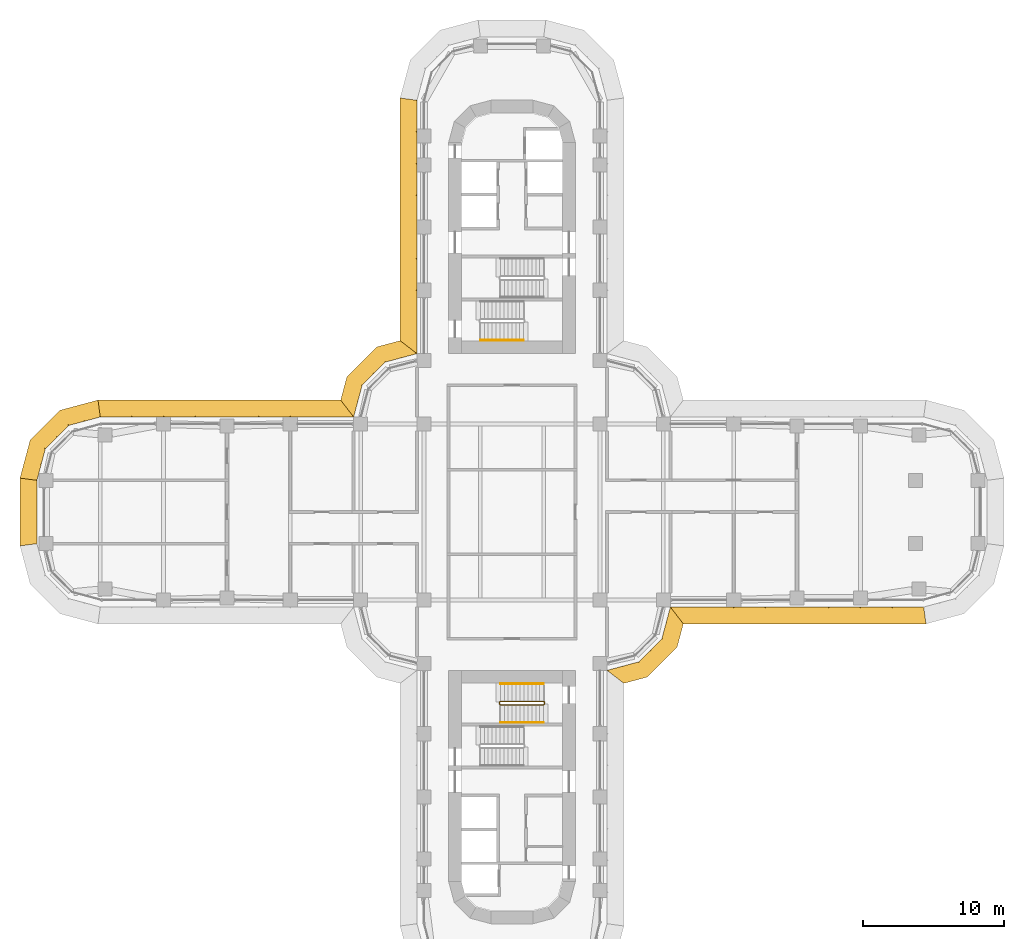
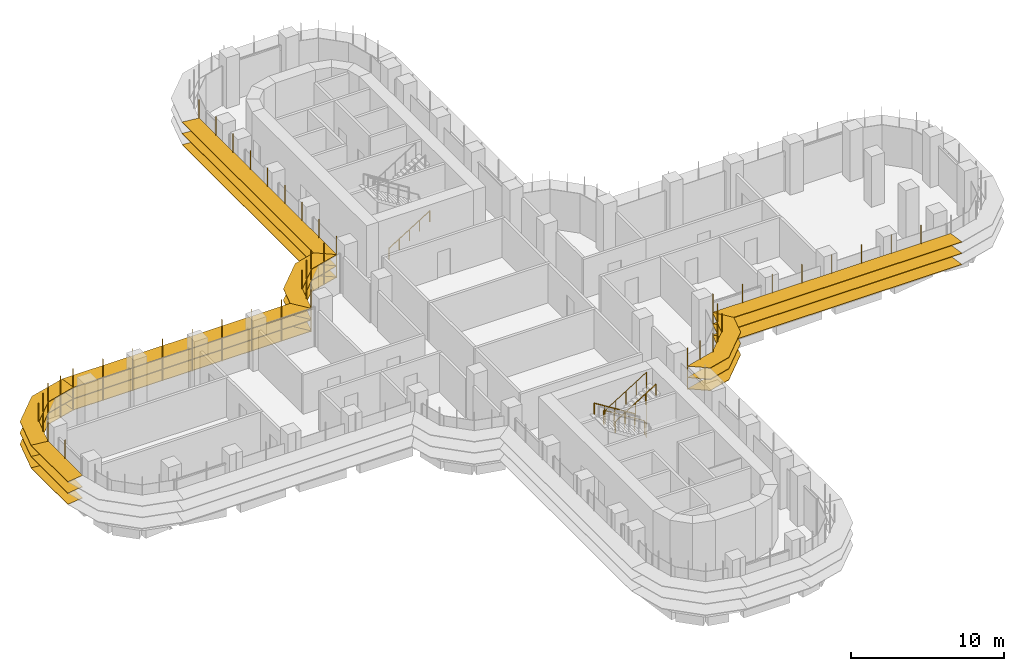
# One storey, part 21 of 23: 7 shading devices, 4 railings.
"""IFC4 building model written with IfcOpenShell, lengths in metres."""

import ifcopenshell
import ifcopenshell.guid

model = None  # the IFC model being written
_history = None  # IfcOwnerHistory: only IFC2X3 demands one
_inside = {}  # id of a spatial element -> (the spatial element, [elements in it])
_under = {}  # id of a project, library or spatial element -> (it, [spatial elements below it])
_declared = {}  # id of a project -> (the project, [libraries it declares])
_typed = {}  # id of a type object -> (the type object, [elements of that type])
_made_of = {}  # id of a material, layer set ... -> (it, [elements and type objects made of it])


def new_model(schema):
    """Start an empty IFC model of exactly this schema.

    Asked for "IFC4X3", IfcOpenShell would pick the latest addendum, in which some entities
    have other attributes; the version numbers below select the first issue.
    IFC2X3 requires an IfcOwnerHistory on every rooted entity: one is made here for all.
    """
    global model, _history
    if schema == "IFC4X3":
        model = ifcopenshell.file(schema_version=(4, 3, 0, 0))
    else:
        model = ifcopenshell.file(schema=schema)
    _inside.clear()
    _under.clear()
    _declared.clear()
    _typed.clear()
    _made_of.clear()
    _history = None
    if model.schema == "IFC2X3":
        org = make("IfcOrganization", Name="unknown")
        user = make(
            "IfcPersonAndOrganization",
            ThePerson=make("IfcPerson", FamilyName="unknown"),
            TheOrganization=org,
        )
        app = make(
            "IfcApplication",
            ApplicationDeveloper=org,
            Version="unknown",
            ApplicationFullName="unknown",
            ApplicationIdentifier="unknown",
        )
        _history = make(
            "IfcOwnerHistory",
            OwningUser=user,
            OwningApplication=app,
            ChangeAction="ADDED",
            CreationDate=0,
        )
    return model


def make(cls, **values):
    """One entity of the class cls with the attributes given. An attribute that is None is left unset."""
    return model.create_entity(
        cls, **{name: value for name, value in values.items() if value is not None}
    )


def rooted(cls, **values):
    """An entity with a GlobalId (a new one), such as an element, a storey or a relation."""
    return make(cls, GlobalId=ifcopenshell.guid.new(), OwnerHistory=_history, **values)


def si_unit(unit_type, name, prefix=None):
    """IfcSIUnit, for example si_unit("LENGTHUNIT", "METRE", prefix="MILLI")."""
    return make("IfcSIUnit", UnitType=unit_type, Prefix=prefix, Name=name)


def assignment(units):
    """IfcUnitAssignment: the units of a project."""
    return None if units is None else make("IfcUnitAssignment", Units=units)


def point(xyz):
    """IfcCartesianPoint."""
    return None if xyz is None else make("IfcCartesianPoint", Coordinates=xyz)


def direction(xyz):
    """IfcDirection."""
    return None if xyz is None else make("IfcDirection", DirectionRatios=xyz)


def frame(location, z_axis=None, x_axis=None):
    """IfcAxis2Placement3D, a coordinate frame: its origin and axes. An axis left out is left unset."""
    return make(
        "IfcAxis2Placement3D",
        Location=point(location),
        Axis=direction(z_axis),
        RefDirection=direction(x_axis),
    )


def frame_2d(location, x_axis=None):
    """IfcAxis2Placement2D, a coordinate frame in the plane: its origin and x axis."""
    return make(
        "IfcAxis2Placement2D", Location=point(location), RefDirection=direction(x_axis)
    )


def origin():
    """The frame at (0, 0, 0) with its axes left unset."""
    return frame((0.0, 0.0, 0.0))


def origin_2d():
    """The frame at (0, 0) in the plane with its x axis left unset."""
    return frame_2d((0.0, 0.0))


def place(relative_to, where):
    """IfcLocalPlacement: puts the frame where relative to a parent placement (None: the world)."""
    return make(
        "IfcLocalPlacement", PlacementRelTo=relative_to, RelativePlacement=where
    )


def context(
    kind, dimensions, precision=None, world=None, true_north=None, identifier=None
):
    """IfcGeometricRepresentationContext, for example the 3D "Model" context."""
    return make(
        "IfcGeometricRepresentationContext",
        ContextIdentifier=identifier,
        ContextType=kind,
        CoordinateSpaceDimension=dimensions,
        Precision=precision,
        WorldCoordinateSystem=world,
        TrueNorth=true_north,
    )


def subcontext(parent, identifier, kind, view, scale=None):
    """IfcGeometricRepresentationSubContext, for example "Body" below "Model"."""
    return make(
        "IfcGeometricRepresentationSubContext",
        ContextIdentifier=identifier,
        ContextType=kind,
        ParentContext=parent,
        TargetScale=scale,
        TargetView=view,
    )


def project(units=None, contexts=None):
    """IfcProject with its units and contexts."""
    return rooted(
        "IfcProject",
        Name="project",
        RepresentationContexts=contexts,
        UnitsInContext=assignment(units),
    )


def spatial(cls, under=None, at=None, **own):
    """A site, building, storey or space (cls), placed at a placement, below another one or the project."""
    s = rooted(cls, ObjectPlacement=at, **own)
    if under is not None:
        _under.setdefault(under.id(), (under, []))[1].append(s)
    return s


def polyline(points):
    """IfcPolyline through the points."""
    return make("IfcPolyline", Points=[point(p) for p in points])


def profile(cls, at=None, kind="AREA", **sizes):
    """A parametric profile (cls). Its sizes go by their IFC names, for example OverallWidth=200.0."""
    return make(cls, ProfileType=kind, Position=at, **sizes)


def circle(**sizes):
    """IfcCircleProfileDef."""
    return profile("IfcCircleProfileDef", **sizes)


def outline(outer, holes=None, kind="AREA"):
    """IfcArbitraryClosedProfileDef: a profile drawn as a closed curve; with holes, ...WithVoids."""
    if holes is None:
        return make("IfcArbitraryClosedProfileDef", ProfileType=kind, OuterCurve=outer)
    return make(
        "IfcArbitraryProfileDefWithVoids",
        ProfileType=kind,
        OuterCurve=outer,
        InnerCurves=holes,
    )


def extrude(swept, where, along, depth):
    """IfcExtrudedAreaSolid: the profile swept, set in the frame where, extruded along a direction by depth."""
    return make(
        "IfcExtrudedAreaSolid",
        SweptArea=swept,
        Position=where,
        ExtrudedDirection=direction(along),
        Depth=depth,
    )


def faces_of(points, faces, orient=None, outer=None):
    """IfcFace entities. A face is a list of loops; a loop is a list of indices into points, from 0.

    orient and outer hold one flag for each loop. By default every Orientation is true, the
    first loop of a face is its IfcFaceOuterBound and the others are IfcFaceBound.
    """
    made = []
    for i, loops in enumerate(faces):
        bounds = []
        for j, loop in enumerate(loops):
            is_outer = j == 0 if outer is None else outer[i][j]
            bounds.append(
                make(
                    "IfcFaceOuterBound" if is_outer else "IfcFaceBound",
                    Bound=make("IfcPolyLoop", Polygon=[points[k] for k in loop]),
                    Orientation=True if orient is None else orient[i][j],
                )
            )
        made.append(make("IfcFace", Bounds=bounds))
    return made


def faceted_brep(points, faces, orient=None, outer=None, voids=None):
    """IfcFacetedBrep: a solid bounded by flat faces; with voids (closed shells), ...WithVoids."""
    shared = [point(p) for p in points]
    hull = make("IfcClosedShell", CfsFaces=faces_of(shared, faces, orient, outer))
    if voids is None:
        return make("IfcFacetedBrep", Outer=hull)
    return make(
        "IfcFacetedBrepWithVoids",
        Outer=hull,
        Voids=[
            make(cls, CfsFaces=faces_of(shared, fs, o, b)) for cls, fs, o, b in voids
        ],
    )


def shape(context_of_items, identifier, shape_type, items):
    """IfcShapeRepresentation: the items that make up one representation, for example the "Body"."""
    return make(
        "IfcShapeRepresentation",
        ContextOfItems=context_of_items,
        RepresentationIdentifier=identifier,
        RepresentationType=shape_type,
        Items=items,
    )


def source(mapping_origin, context_of_items, identifier, shape_type, items):
    """IfcRepresentationMap: a shape defined once, which mapped items show again and again."""
    return make(
        "IfcRepresentationMap",
        MappingOrigin=mapping_origin,
        MappedRepresentation=shape(context_of_items, identifier, shape_type, items),
    )


def transform(
    local_origin,
    x_axis=None,
    y_axis=None,
    z_axis=None,
    scale=None,
    scale2=None,
    scale3=None,
    uniform=True,
):
    """IfcCartesianTransformationOperator3D, or its non-uniform kind. x_axis, y_axis, z_axis: its Axis1, 2, 3."""
    if uniform:
        return make(
            "IfcCartesianTransformationOperator3D",
            Axis1=direction(x_axis),
            Axis2=direction(y_axis),
            LocalOrigin=point(local_origin),
            Scale=scale,
            Axis3=direction(z_axis),
        )
    return make(
        "IfcCartesianTransformationOperator3DnonUniform",
        Axis1=direction(x_axis),
        Axis2=direction(y_axis),
        LocalOrigin=point(local_origin),
        Scale=scale,
        Axis3=direction(z_axis),
        Scale2=scale2,
        Scale3=scale3,
    )


def mapped(mapping_source, mapping_target):
    """IfcMappedItem: shows the shape of a source again, moved by a transform."""
    return make(
        "IfcMappedItem", MappingSource=mapping_source, MappingTarget=mapping_target
    )


def material(Name=None, Category=None):
    """IfcMaterial."""
    return make("IfcMaterial", Name=Name, Category=Category)


def made_of(thing, what):
    """Note that an element or type object is made of a material, layer set ...; save() writes the relation."""
    if what is not None:
        _made_of.setdefault(what.id(), (what, []))[1].append(thing)
    return thing


def type_object(cls, material=None, **own):
    """A type object (cls), such as IfcWallType, which elements share."""
    return made_of(rooted(cls, **own), material)


def element(
    cls,
    number,
    at=None,
    inside=None,
    cuts=None,
    type_object=None,
    material=None,
    context=None,
    identifier="Body",
    shape_type=None,
    held_by="IfcProductDefinitionShape",
    body=None,
    shapes=None,
    **own,
):
    """One element of the class cls, such as IfcWall. Its Tag is "e" and its number.

    at: its placement. inside: the storey or other place that contains it. cuts: it is an
    opening in that element (IfcRelVoidsElement). A single representation is given by context,
    identifier, shape_type and body (its items); several are given by shapes. held_by: the class
    of the entity that holds the representations. save() writes the other relations.
    """
    e = rooted(cls, Tag="e%d" % number, ObjectPlacement=at, **own)
    if body is not None:
        shapes = [shape(context, identifier, shape_type, body)]
    if shapes is not None:
        e.Representation = make(held_by, Representations=shapes)
    if inside is not None:
        _inside.setdefault(inside.id(), (inside, []))[1].append(e)
    if cuts is not None:
        rooted(
            "IfcRelVoidsElement", RelatingBuildingElement=cuts, RelatedOpeningElement=e
        )
    if type_object is not None:
        _typed.setdefault(type_object.id(), (type_object, []))[1].append(e)
    return made_of(e, material)


def aggregate(whole, parts):
    """IfcRelAggregates: a whole, such as a stair, and the parts it consists of."""
    return rooted("IfcRelAggregates", RelatingObject=whole, RelatedObjects=parts)


def save(model, path):
    """Write the relations noted so far, then the file.

    IfcRelAggregates (storeys below a building ...), IfcRelContainedInSpatialStructure (elements
    in a storey), IfcRelDefinesByType, IfcRelAssociatesMaterial and IfcRelDeclares: one each for
    every whole, place, type object, material and project.
    """
    for whole, parts in _under.values():
        aggregate(whole, parts)
    for where, things in _inside.values():
        rooted(
            "IfcRelContainedInSpatialStructure",
            RelatedElements=things,
            RelatingStructure=where,
        )
    for kind, things in _typed.values():
        rooted("IfcRelDefinesByType", RelatedObjects=things, RelatingType=kind)
    for what, things in _made_of.values():
        rooted("IfcRelAssociatesMaterial", RelatedObjects=things, RelatingMaterial=what)
    for by, libraries in _declared.values():
        rooted("IfcRelDeclares", RelatingContext=by, RelatedDefinitions=libraries)
    model.write(path)


model = new_model("IFC4")

# Units and contexts
model_context = context("Model", 3, precision=1e-05, world=origin(), true_north=direction((0.0, 1.0)))
body_context = subcontext(model_context, "Body", "Model", "MODEL_VIEW")
ifc_project = project(units=[si_unit("LENGTHUNIT", "METRE"), si_unit("AREAUNIT", "SQUARE_METRE"), si_unit("VOLUMEUNIT", "CUBIC_METRE"), si_unit("PLANEANGLEUNIT", "RADIAN"), si_unit("MASSUNIT", "GRAM", prefix="KILO")], contexts=[model_context])

# Site, building, storey
site_placement = place(None, origin())
site = spatial("IfcSite", under=ifc_project, at=site_placement, CompositionType="ELEMENT")
building_placement = place(site_placement, origin())
building = spatial("IfcBuilding", under=site, at=building_placement, Name="Zarbagh Exchange Tower", CompositionType="ELEMENT")
storey_placement = place(building_placement, frame((0.0, 0.0, 31.199951171875)))
storey = spatial("IfcBuildingStorey", under=building, at=storey_placement, Name="L06", CompositionType="ELEMENT", Elevation=31.199951171875)

# Railings
ifc_material_1 = material(Name="Stainless steel", Category="steel")
railing_type_1 = type_object("IfcRailingType", Name="Stair guard 1100 mm", PredefinedType="GUARDRAIL", material=ifc_material_1)
railing_1_placement = place(storey_placement, frame((-0.8798828125, -13.5, 2.10009765625)))
element("IfcRailing", 1, at=railing_1_placement, inside=storey, type_object=railing_type_1, Name="ST4 stair guard 1", PredefinedType="GUARDRAIL", context=body_context, shape_type="SweptSolid", body=[
    extrude(circle(Radius=0.02392578125, at=origin_2d()), frame((0.0, 0.0, 1.076171875), z_axis=(0.0, -1.0, 0.0), x_axis=(1.0, 0.0, 0.0)), (0.0, 0.0, 1.0), 0.14990234375),
    extrude(circle(Radius=0.02392578125, at=origin_2d()), frame((0.0, -0.14990234375, 1.076171875), z_axis=(0.263862480399, -0.265155923931, 0.927399011991), x_axis=(0.708833529934, 0.705375805398, 0.0)), (0.0, 0.0, 1.0), 0.188720703125),
    extrude(circle(Radius=0.02392578125, at=origin_2d()), frame((0.0498046875, -0.199951171875, 1.2509765625), z_axis=(0.848028513186, 0.0, 0.529950602248), x_axis=(0.0, 1.0, 0.0)), (0.0, 0.0, 1.0), 3.632080078125),
    extrude(circle(Radius=0.02392578125, at=origin_2d()), frame((3.1298828125, -0.199951171875, 3.17578125), z_axis=(0.011914834358, 0.011914834358, -0.999858026644), x_axis=(-0.707106781187, 0.707106781187, 0.0)), (0.0, 0.0, 1.0), 4.200439453125),
    extrude(circle(Radius=0.02392578125, at=origin_2d()), frame((3.179931640625, -0.14990234375, -1.02392578125), z_axis=(0.0, 1.0, 0.0), x_axis=(-1.0, 0.0, 0.0)), (0.0, 0.0, 1.0), 0.14990234375),
    extrude(circle(Radius=0.02392578125, at=origin_2d()), frame((3.179931640625, 0.0, -1.02392578125), z_axis=(-0.265065253269, 0.265065253269, 0.927081885822), x_axis=(-0.707106781187, -0.707106781187, 0.0)), (0.0, 0.0, 1.0), 0.188720703125),
    extrude(circle(Radius=0.02392578125, at=origin_2d()), frame((3.1298828125, 0.050048828125, -0.84912109375), z_axis=(-0.847998304005, 0.0, 0.529998940003), x_axis=(0.0, -1.0, 0.0)), (0.0, 0.0, 1.0), 3.632080078125),
    extrude(circle(Radius=0.02099609375, at=origin_2d()), origin(), (0.0, 0.0, 1.0), 1.052001953125),
    extrude(circle(Radius=0.02099609375, at=origin_2d()), frame((0.0, -0.14990234375, 0.0)), (0.0, 0.0, 1.0), 1.052001953125),
    extrude(circle(Radius=0.02099609375, at=origin_2d()), frame((0.0498046875, -0.199951171875, 0.175048828125)), (0.0, 0.0, 1.0), 1.052001953125),
    extrude(circle(Radius=0.02099609375, at=origin_2d()), frame((0.81982421875, -0.199951171875, 0.65625)), (0.0, 0.0, 1.0), 1.052001953125),
    extrude(circle(Radius=0.02099609375, at=origin_2d()), frame((1.58984375, -0.199951171875, 1.137451171875)), (0.0, 0.0, 1.0), 1.052001953125),
    extrude(circle(Radius=0.02099609375, at=origin_2d()), frame((2.35986328125, -0.199951171875, 1.61865234375)), (0.0, 0.0, 1.0), 1.052001953125),
    extrude(circle(Radius=0.02099609375, at=origin_2d()), frame((3.1298828125, -0.199951171875, 2.099853515625)), (0.0, 0.0, 1.0), 1.052001953125),
    extrude(circle(Radius=0.02099609375, at=origin_2d()), frame((3.142333984375, -0.1875, 1.0498046875)), (0.0, 0.0, 1.0), 1.052001953125),
    extrude(circle(Radius=0.02099609375, at=origin_2d()), frame((3.15478515625, -0.1748046875, 0.0)), (0.0, 0.0, 1.0), 1.052001953125),
    extrude(circle(Radius=0.02099609375, at=origin_2d()), frame((3.16748046875, -0.162353515625, -1.050048828125)), (0.0, 0.0, 1.0), 1.052001953125),
    extrude(circle(Radius=0.02099609375, at=origin_2d()), frame((3.179931640625, -0.14990234375, -2.10009765625)), (0.0, 0.0, 1.0), 1.052001953125),
    extrude(circle(Radius=0.02099609375, at=origin_2d()), frame((3.179931640625, 0.0, -2.10009765625)), (0.0, 0.0, 1.0), 1.052001953125),
    extrude(circle(Radius=0.02099609375, at=origin_2d()), frame((3.1298828125, 0.050048828125, -1.925048828125)), (0.0, 0.0, 1.0), 1.052001953125),
    extrude(circle(Radius=0.02099609375, at=origin_2d()), frame((2.35986328125, 0.050048828125, -1.44384765625)), (0.0, 0.0, 1.0), 1.052001953125),
    extrude(circle(Radius=0.02099609375, at=origin_2d()), frame((1.58984375, 0.050048828125, -0.96240234375)), (0.0, 0.0, 1.0), 1.052001953125),
    extrude(circle(Radius=0.02099609375, at=origin_2d()), frame((0.81982421875, 0.050048828125, -0.481201171875)), (0.0, 0.0, 1.0), 1.052001953125),
    extrude(circle(Radius=0.02099609375, at=origin_2d()), frame((0.0498046875, 0.050048828125, 0.0)), (0.0, 0.0, 1.0), 1.052001953125),
])
railing_type_2 = type_object("IfcRailingType", Name="Stair handrail 900 mm", PredefinedType="HANDRAIL", material=ifc_material_1)
railing_2_placement = place(storey_placement, frame((-2.25, 12.199951171875, 0.175048828125)))
element("IfcRailing", 2, at=railing_2_placement, inside=storey, type_object=railing_type_2, Name="ST2 stair handrail 1", PredefinedType="HANDRAIL", context=body_context, shape_type="SweptSolid", body=[
    extrude(circle(Radius=0.02392578125, at=origin_2d()), frame((0.0, 0.0, 0.8759765625), z_axis=(0.847998304005, 0.0, 0.529998940003), x_axis=(0.0, 1.0, 0.0)), (0.0, 0.0, 1.0), 3.632080078125),
    extrude(circle(Radius=0.02099609375, at=origin_2d()), origin(), (0.0, 0.0, 1.0), 0.851806640625),
    extrude(circle(Radius=0.02099609375, at=origin_2d()), frame((0.77001953125, 0.0, 0.481201171875)), (0.0, 0.0, 1.0), 0.851806640625),
    extrude(circle(Radius=0.02099609375, at=origin_2d()), frame((1.5400390625, 0.0, 0.96240234375)), (0.0, 0.0, 1.0), 0.851806640625),
    extrude(circle(Radius=0.02099609375, at=origin_2d()), frame((2.31005859375, 0.0, 1.44384765625)), (0.0, 0.0, 1.0), 0.851806640625),
    extrude(circle(Radius=0.02099609375, at=origin_2d()), frame((3.080078125, 0.0, 1.925048828125)), (0.0, 0.0, 1.0), 0.851806640625),
])
railing_3_placement = place(storey_placement, frame((2.25, -12.199951171875, 0.175048828125)))
element("IfcRailing", 3, at=railing_3_placement, inside=storey, type_object=railing_type_2, Name="ST4 stair handrail 1", PredefinedType="HANDRAIL", context=body_context, shape_type="SweptSolid", body=[
    extrude(circle(Radius=0.02392578125, at=origin_2d()), frame((0.0, 0.0, 0.8759765625), z_axis=(-0.847998304005, 0.0, 0.529998940003), x_axis=(0.0, -1.0, 0.0)), (0.0, 0.0, 1.0), 3.632080078125),
    extrude(circle(Radius=0.02099609375, at=origin_2d()), origin(), (0.0, 0.0, 1.0), 0.851806640625),
    extrude(circle(Radius=0.02099609375, at=origin_2d()), frame((-0.77001953125, 0.0, 0.481201171875)), (0.0, 0.0, 1.0), 0.851806640625),
    extrude(circle(Radius=0.02099609375, at=origin_2d()), frame((-1.5400390625, 0.0, 0.96240234375)), (0.0, 0.0, 1.0), 0.851806640625),
    extrude(circle(Radius=0.02099609375, at=origin_2d()), frame((-2.31005859375, 0.0, 1.44384765625)), (0.0, 0.0, 1.0), 0.851806640625),
    extrude(circle(Radius=0.02099609375, at=origin_2d()), frame((-3.080078125, 0.0, 1.925048828125)), (0.0, 0.0, 1.0), 0.851806640625),
])
railing_4_placement = place(storey_placement, frame((-0.830078125, -14.949951171875, 2.275146484375)))
element("IfcRailing", 4, at=railing_4_placement, inside=storey, type_object=railing_type_2, Name="ST4 stair handrail 2", PredefinedType="HANDRAIL", context=body_context, shape_type="SweptSolid", body=[
    extrude(circle(Radius=0.02392578125, at=origin_2d()), frame((0.0, 0.0, 0.8759765625), z_axis=(0.848028513186, 0.0, 0.529950602248), x_axis=(0.0, 1.0, 0.0)), (0.0, 0.0, 1.0), 3.632080078125),
    extrude(circle(Radius=0.02099609375, at=origin_2d()), origin(), (0.0, 0.0, 1.0), 0.851806640625),
    extrude(circle(Radius=0.02099609375, at=origin_2d()), frame((0.77001953125, 0.0, 0.481201171875)), (0.0, 0.0, 1.0), 0.851806640625),
    extrude(circle(Radius=0.02099609375, at=origin_2d()), frame((1.5400390625, 0.0, 0.96240234375)), (0.0, 0.0, 1.0), 0.851806640625),
    extrude(circle(Radius=0.02099609375, at=origin_2d()), frame((2.31005859375, 0.0, 1.443603515625)), (0.0, 0.0, 1.0), 0.851806640625),
    extrude(circle(Radius=0.02099609375, at=origin_2d()), frame((3.080078125, 0.0, 1.9248046875)), (0.0, 0.0, 1.0), 0.851806640625),
])

# Shading devices
ifc_material_2 = material(Name="Anodised aluminium blades and brackets", Category="aluminium")
shading_device_type = type_object("IfcShadingDeviceType", Name="SUNSHADE louvre band, 0 degree blades", PredefinedType="JALOUSIE", material=ifc_material_2)
shared_shape_1 = source(origin(), body_context, "Body", "Brep", [
    faceted_brep([(0.0, 0.0, 0.0), (0.0, 0.0, -0.0400390625), (-0.157958984375, -1.199951171875, -0.0400390625), (-0.157958984375, -1.199951171875, 0.0), (2.65087890625, -1.199951171875, 0.0), (2.65087890625, -1.199951171875, -0.0400390625), (2.329345703125, 0.0, -0.0400390625), (2.329345703125, 0.0, 0.0)], [[[0, 1, 2, 3]], [[4, 5, 6, 7]], [[0, 7, 6, 1]], [[1, 6, 5, 2]], [[2, 5, 4, 3]], [[3, 4, 7, 0]]]),
])
shared_shape_2 = source(origin(), body_context, "Body", "Brep", [
    faceted_brep([(0.0, 0.0, 0.0), (0.0, 0.0, -0.0400390625), (-0.321533203125, -1.199951171875, -0.0400390625), (-0.321533203125, -1.199951171875, 0.0), (2.65087890625, -1.199951171875, 0.0), (2.65087890625, -1.199951171875, -0.0400390625), (2.329345703125, 0.0, -0.0400390625), (2.329345703125, 0.0, 0.0)], [[[0, 1, 2, 3]], [[4, 5, 6, 7]], [[0, 7, 6, 1]], [[1, 6, 5, 2]], [[2, 5, 4, 3]], [[3, 4, 7, 0]]]),
])
shared_shape_3 = source(origin(), body_context, "Body", "Brep", [
    faceted_brep([(0.0, 0.0, 0.0), (0.0, 0.0, -0.0400390625), (-0.321533203125, -1.199951171875, -0.0400390625), (-0.321533203125, -1.199951171875, 0.0), (2.4873046875, -1.199951171875, 0.0), (2.4873046875, -1.199951171875, -0.0400390625), (2.329345703125, 0.0, -0.0400390625), (2.329345703125, 0.0, 0.0)], [[[0, 1, 2, 3]], [[4, 5, 6, 7]], [[0, 7, 6, 1]], [[1, 6, 5, 2]], [[2, 5, 4, 3]], [[3, 4, 7, 0]]]),
])
shared_shape_4 = source(origin(), body_context, "Body", "SweptSolid", [
    extrude(outline(polyline([(0.0, -0.012451171875), (0.06005859375, -0.012451171875), (0.06005859375, 0.012451171875), (0.0, 0.012451171875), (0.0, -0.012451171875)])), origin(), (0.0, 0.0, 1.0), 3.35009765625),
])
placement = place(storey_placement, origin())
element("IfcShadingDevice", 5, at=placement, inside=storey, type_object=shading_device_type, Name="SS17 sunshade band", PredefinedType="JALOUSIE", context=body_context, shape_type="MappedRepresentation", body=[
    mapped(shared_shape_1, transform((-29.25, 6.75, 2.699951171875), x_axis=(-0.965924289636, -0.258824779902, 0.0), y_axis=(0.258824779902, -0.965924289636, 0.0), z_axis=(0.0, 0.0, 1.0))),
    mapped(shared_shape_1, transform((-29.25, 6.75, 1.800048828125), x_axis=(-0.965924289636, -0.258824779902, 0.0), y_axis=(0.258824779902, -0.965924289636, 0.0), z_axis=(0.0, 0.0, 1.0))),
    mapped(shared_shape_1, transform((-29.25, 6.75, 0.900146484375), x_axis=(-0.965924289636, -0.258824779902, 0.0), y_axis=(0.258824779902, -0.965924289636, 0.0), z_axis=(0.0, 0.0, 1.0))),
    mapped(shared_shape_2, transform((-31.5, 6.147216796875, 2.699951171875), x_axis=(-0.707106781187, -0.707106781187, 0.0), y_axis=(0.707106781187, -0.707106781187, 0.0), z_axis=(0.0, 0.0, 1.0))),
    mapped(shared_shape_2, transform((-31.5, 6.147216796875, 1.800048828125), x_axis=(-0.707106781187, -0.707106781187, 0.0), y_axis=(0.707106781187, -0.707106781187, 0.0), z_axis=(0.0, 0.0, 1.0))),
    mapped(shared_shape_2, transform((-31.5, 6.147216796875, 0.900146484375), x_axis=(-0.707106781187, -0.707106781187, 0.0), y_axis=(0.707106781187, -0.707106781187, 0.0), z_axis=(0.0, 0.0, 1.0))),
    mapped(shared_shape_3, transform((-33.147216796875, 4.5, 2.699951171875), x_axis=(-0.258824779902, -0.965924289636, 0.0), y_axis=(0.965924289636, -0.258824779902, 0.0), z_axis=(0.0, 0.0, 1.0))),
    mapped(shared_shape_3, transform((-33.147216796875, 4.5, 1.800048828125), x_axis=(-0.258824779902, -0.965924289636, 0.0), y_axis=(0.965924289636, -0.258824779902, 0.0), z_axis=(0.0, 0.0, 1.0))),
    mapped(shared_shape_3, transform((-33.147216796875, 4.5, 0.900146484375), x_axis=(-0.258824779902, -0.965924289636, 0.0), y_axis=(0.965924289636, -0.258824779902, 0.0), z_axis=(0.0, 0.0, 1.0))),
    mapped(shared_shape_4, transform((-29.25, 6.75, 0.830078125), x_axis=(-0.130529263012, 0.991444457092, 0.0), y_axis=(-0.991444457092, -0.130529263012, 0.0), z_axis=(0.0, 0.0, 1.0))),
    mapped(shared_shape_4, transform((-30.375, 6.448486328125, 0.830078125), x_axis=(-0.258825058029, 0.96592421511, 0.0), y_axis=(-0.96592421511, -0.258825058029, 0.0), z_axis=(0.0, 0.0, 1.0))),
    mapped(shared_shape_4, transform((-31.5, 6.147216796875, 0.830078125), x_axis=(-0.50000275701, 0.866023812018, 0.0), y_axis=(-0.866023812018, -0.50000275701, 0.0), z_axis=(0.0, 0.0, 1.0))),
    mapped(shared_shape_4, transform((-32.323486328125, 5.323486328125, 0.830078125), x_axis=(-0.707106781187, 0.707106781187, 0.0), y_axis=(-0.707106781187, -0.707106781187, 0.0), z_axis=(0.0, 0.0, 1.0))),
    mapped(shared_shape_4, transform((-33.147216796875, 4.5, 0.830078125), x_axis=(-0.866023812018, 0.50000275701, 0.0), y_axis=(-0.50000275701, -0.866023812018, 0.0), z_axis=(0.0, 0.0, 1.0))),
    mapped(shared_shape_4, transform((-33.448486328125, 3.375, 0.830078125), x_axis=(-0.96592421511, 0.258825058029, 0.0), y_axis=(-0.258825058029, -0.96592421511, 0.0), z_axis=(0.0, 0.0, 1.0))),
])
shared_shape_5 = source(origin(), body_context, "Body", "Brep", [
    faceted_brep([(0.0, 0.0, 0.0), (0.0, 0.0, -0.0400390625), (0.9208984375, -1.199951171875, -0.0400390625), (0.9208984375, -1.199951171875, 0.0), (2.65087890625, -1.199951171875, 0.0), (2.65087890625, -1.199951171875, -0.0400390625), (2.329345703125, 0.0, -0.0400390625), (2.329345703125, 0.0, 0.0)], [[[0, 1, 2, 3]], [[4, 5, 6, 7]], [[0, 7, 6, 1]], [[1, 6, 5, 2]], [[2, 5, 4, 3]], [[3, 4, 7, 0]]]),
])
shared_shape_6 = source(origin(), body_context, "Body", "Brep", [
    faceted_brep([(0.0, 0.0, 0.0), (0.0, 0.0, -0.0400390625), (-0.321533203125, -1.199951171875, -0.0400390625), (-0.321533203125, -1.199951171875, 0.0), (1.40869140625, -1.199951171875, 0.0), (1.40869140625, -1.199951171875, -0.0400390625), (2.329345703125, 0.0, -0.0400390625), (2.329345703125, 0.0, 0.0)], [[[0, 1, 2, 3]], [[4, 5, 6, 7]], [[0, 7, 6, 1]], [[1, 6, 5, 2]], [[2, 5, 4, 3]], [[3, 4, 7, 0]]]),
])
element("IfcShadingDevice", 6, at=placement, inside=storey, type_object=shading_device_type, Name="SS03 sunshade band", PredefinedType="JALOUSIE", context=body_context, shape_type="MappedRepresentation", body=[
    mapped(shared_shape_5, transform((6.75, -11.25, 2.699951171875), x_axis=(0.965924289636, 0.258824779902, 0.0), y_axis=(-0.258824779902, 0.965924289636, 0.0), z_axis=(0.0, 0.0, 1.0))),
    mapped(shared_shape_5, transform((6.75, -11.25, 1.800048828125), x_axis=(0.965924289636, 0.258824779902, 0.0), y_axis=(-0.258824779902, 0.965924289636, 0.0), z_axis=(0.0, 0.0, 1.0))),
    mapped(shared_shape_5, transform((6.75, -11.25, 0.900146484375), x_axis=(0.965924289636, 0.258824779902, 0.0), y_axis=(-0.258824779902, 0.965924289636, 0.0), z_axis=(0.0, 0.0, 1.0))),
    mapped(shared_shape_2, transform((9.0, -10.647216796875, 2.699951171875), x_axis=(0.707106781187, 0.707106781187, 0.0), y_axis=(-0.707106781187, 0.707106781187, 0.0), z_axis=(0.0, 0.0, 1.0))),
    mapped(shared_shape_2, transform((9.0, -10.647216796875, 1.800048828125), x_axis=(0.707106781187, 0.707106781187, 0.0), y_axis=(-0.707106781187, 0.707106781187, 0.0), z_axis=(0.0, 0.0, 1.0))),
    mapped(shared_shape_2, transform((9.0, -10.647216796875, 0.900146484375), x_axis=(0.707106781187, 0.707106781187, 0.0), y_axis=(-0.707106781187, 0.707106781187, 0.0), z_axis=(0.0, 0.0, 1.0))),
    mapped(shared_shape_6, transform((10.647216796875, -9.0, 2.699951171875), x_axis=(0.258824779902, 0.965924289636, 0.0), y_axis=(-0.965924289636, 0.258824779902, 0.0), z_axis=(0.0, 0.0, 1.0))),
    mapped(shared_shape_6, transform((10.647216796875, -9.0, 1.800048828125), x_axis=(0.258824779902, 0.965924289636, 0.0), y_axis=(-0.965924289636, 0.258824779902, 0.0), z_axis=(0.0, 0.0, 1.0))),
    mapped(shared_shape_6, transform((10.647216796875, -9.0, 0.900146484375), x_axis=(0.258824779902, 0.965924289636, 0.0), y_axis=(-0.965924289636, 0.258824779902, 0.0), z_axis=(0.0, 0.0, 1.0))),
    mapped(shared_shape_4, transform((6.75, -11.25, 0.830078125), x_axis=(0.793355287, -0.608758892, 0.0), y_axis=(0.608758892, 0.793355287, 0.0), z_axis=(0.0, 0.0, 1.0))),
    mapped(shared_shape_4, transform((7.875, -10.948486328125, 0.830078125), x_axis=(0.258825058029, -0.96592421511, 0.0), y_axis=(0.96592421511, 0.258825058029, 0.0), z_axis=(0.0, 0.0, 1.0))),
    mapped(shared_shape_4, transform((9.0, -10.647216796875, 0.830078125), x_axis=(0.50000275701, -0.866023812018, 0.0), y_axis=(0.866023812018, 0.50000275701, 0.0), z_axis=(0.0, 0.0, 1.0))),
    mapped(shared_shape_4, transform((9.823486328125, -9.823486328125, 0.830078125), x_axis=(0.707106781187, -0.707106781187, 0.0), y_axis=(0.707106781187, 0.707106781187, 0.0), z_axis=(0.0, 0.0, 1.0))),
    mapped(shared_shape_4, transform((10.647216796875, -9.0, 0.830078125), x_axis=(0.866023812018, -0.50000275701, 0.0), y_axis=(0.50000275701, 0.866023812018, 0.0), z_axis=(0.0, 0.0, 1.0))),
    mapped(shared_shape_4, transform((10.948486328125, -7.875, 0.830078125), x_axis=(0.96592421511, -0.258825058029, 0.0), y_axis=(0.258825058029, 0.96592421511, 0.0), z_axis=(0.0, 0.0, 1.0))),
])
element("IfcShadingDevice", 7, at=placement, inside=storey, type_object=shading_device_type, Name="SS15 sunshade band", PredefinedType="JALOUSIE", context=body_context, shape_type="MappedRepresentation", body=[
    mapped(shared_shape_5, transform((-6.75, 11.25, 2.699951171875), x_axis=(-0.965924289636, -0.258824779902, 0.0), y_axis=(0.258824779902, -0.965924289636, 0.0), z_axis=(0.0, 0.0, 1.0))),
    mapped(shared_shape_5, transform((-6.75, 11.25, 1.800048828125), x_axis=(-0.965924289636, -0.258824779902, 0.0), y_axis=(0.258824779902, -0.965924289636, 0.0), z_axis=(0.0, 0.0, 1.0))),
    mapped(shared_shape_5, transform((-6.75, 11.25, 0.900146484375), x_axis=(-0.965924289636, -0.258824779902, 0.0), y_axis=(0.258824779902, -0.965924289636, 0.0), z_axis=(0.0, 0.0, 1.0))),
    mapped(shared_shape_2, transform((-9.0, 10.647216796875, 2.699951171875), x_axis=(-0.707106781187, -0.707106781187, 0.0), y_axis=(0.707106781187, -0.707106781187, 0.0), z_axis=(0.0, 0.0, 1.0))),
    mapped(shared_shape_2, transform((-9.0, 10.647216796875, 1.800048828125), x_axis=(-0.707106781187, -0.707106781187, 0.0), y_axis=(0.707106781187, -0.707106781187, 0.0), z_axis=(0.0, 0.0, 1.0))),
    mapped(shared_shape_2, transform((-9.0, 10.647216796875, 0.900146484375), x_axis=(-0.707106781187, -0.707106781187, 0.0), y_axis=(0.707106781187, -0.707106781187, 0.0), z_axis=(0.0, 0.0, 1.0))),
    mapped(shared_shape_6, transform((-10.647216796875, 9.0, 2.699951171875), x_axis=(-0.258824779902, -0.965924289636, 0.0), y_axis=(0.965924289636, -0.258824779902, 0.0), z_axis=(0.0, 0.0, 1.0))),
    mapped(shared_shape_6, transform((-10.647216796875, 9.0, 1.800048828125), x_axis=(-0.258824779902, -0.965924289636, 0.0), y_axis=(0.965924289636, -0.258824779902, 0.0), z_axis=(0.0, 0.0, 1.0))),
    mapped(shared_shape_6, transform((-10.647216796875, 9.0, 0.900146484375), x_axis=(-0.258824779902, -0.965924289636, 0.0), y_axis=(0.965924289636, -0.258824779902, 0.0), z_axis=(0.0, 0.0, 1.0))),
    mapped(shared_shape_4, transform((-6.75, 11.25, 0.830078125), x_axis=(-0.793355287, 0.608758892, 0.0), y_axis=(-0.608758892, -0.793355287, 0.0), z_axis=(0.0, 0.0, 1.0))),
    mapped(shared_shape_4, transform((-7.875, 10.948486328125, 0.830078125), x_axis=(-0.258825058029, 0.96592421511, 0.0), y_axis=(-0.96592421511, -0.258825058029, 0.0), z_axis=(0.0, 0.0, 1.0))),
    mapped(shared_shape_4, transform((-9.0, 10.647216796875, 0.830078125), x_axis=(-0.50000275701, 0.866023812018, 0.0), y_axis=(-0.866023812018, -0.50000275701, 0.0), z_axis=(0.0, 0.0, 1.0))),
    mapped(shared_shape_4, transform((-9.823486328125, 9.823486328125, 0.830078125), x_axis=(-0.707106781187, 0.707106781187, 0.0), y_axis=(-0.707106781187, -0.707106781187, 0.0), z_axis=(0.0, 0.0, 1.0))),
    mapped(shared_shape_4, transform((-10.647216796875, 9.0, 0.830078125), x_axis=(-0.866023812018, 0.50000275701, 0.0), y_axis=(-0.50000275701, -0.866023812018, 0.0), z_axis=(0.0, 0.0, 1.0))),
    mapped(shared_shape_4, transform((-10.948486328125, 7.875, 0.830078125), x_axis=(-0.96592421511, 0.258825058029, 0.0), y_axis=(-0.258825058029, -0.96592421511, 0.0), z_axis=(0.0, 0.0, 1.0))),
])
shared_shape_7 = source(origin(), body_context, "Body", "Brep", [
    faceted_brep([(0.0, 0.0, 0.0), (0.0, 0.0, -0.0400390625), (0.9208984375, -1.199951171875, -0.0400390625), (0.9208984375, -1.199951171875, 0.0), (18.157958984375, -1.199951171875, 0.0), (18.157958984375, -1.199951171875, -0.0400390625), (18.0, 0.0, -0.0400390625), (18.0, 0.0, 0.0)], [[[0, 1, 2, 3]], [[4, 5, 6, 7]], [[0, 7, 6, 1]], [[1, 6, 5, 2]], [[2, 5, 4, 3]], [[3, 4, 7, 0]]]),
])
element("IfcShadingDevice", 8, at=placement, inside=storey, type_object=shading_device_type, Name="SS04 sunshade band", PredefinedType="JALOUSIE", context=body_context, shape_type="MappedRepresentation", body=[
    mapped(shared_shape_7, transform((11.25, -6.75, 2.699951171875), x_axis=(1.0, 0.0, 0.0), y_axis=(0.0, 1.0, 0.0), z_axis=(0.0, 0.0, 1.0))),
    mapped(shared_shape_7, transform((11.25, -6.75, 1.800048828125), x_axis=(1.0, 0.0, 0.0), y_axis=(0.0, 1.0, 0.0), z_axis=(0.0, 0.0, 1.0))),
    mapped(shared_shape_7, transform((11.25, -6.75, 0.900146484375), x_axis=(1.0, 0.0, 0.0), y_axis=(0.0, 1.0, 0.0), z_axis=(0.0, 0.0, 1.0))),
    mapped(shared_shape_4, transform((11.25, -6.75, 0.830078125), x_axis=(0.608758892, -0.793355287, 0.0), y_axis=(0.793355287, 0.608758892, 0.0), z_axis=(0.0, 0.0, 1.0))),
    mapped(shared_shape_4, transform((13.5, -6.75, 0.830078125), x_axis=(0.0, -1.0, 0.0), y_axis=(1.0, 0.0, 0.0), z_axis=(0.0, 0.0, 1.0))),
    mapped(shared_shape_4, transform((15.75, -6.75, 0.830078125), x_axis=(0.0, -1.0, 0.0), y_axis=(1.0, 0.0, 0.0), z_axis=(0.0, 0.0, 1.0))),
    mapped(shared_shape_4, transform((18.0, -6.75, 0.830078125), x_axis=(0.0, -1.0, 0.0), y_axis=(1.0, 0.0, 0.0), z_axis=(0.0, 0.0, 1.0))),
    mapped(shared_shape_4, transform((20.25, -6.75, 0.830078125), x_axis=(0.0, -1.0, 0.0), y_axis=(1.0, 0.0, 0.0), z_axis=(0.0, 0.0, 1.0))),
    mapped(shared_shape_4, transform((22.5, -6.75, 0.830078125), x_axis=(0.0, -1.0, 0.0), y_axis=(1.0, 0.0, 0.0), z_axis=(0.0, 0.0, 1.0))),
    mapped(shared_shape_4, transform((24.75, -6.75, 0.830078125), x_axis=(0.0, -1.0, 0.0), y_axis=(1.0, 0.0, 0.0), z_axis=(0.0, 0.0, 1.0))),
    mapped(shared_shape_4, transform((27.0, -6.75, 0.830078125), x_axis=(0.0, -1.0, 0.0), y_axis=(1.0, 0.0, 0.0), z_axis=(0.0, 0.0, 1.0))),
])
shared_shape_8 = source(origin(), body_context, "Body", "Brep", [
    faceted_brep([(0.0, 0.0, 0.0), (0.0, 0.0, -0.0400390625), (-0.157958984375, -1.199951171875, -0.0400390625), (-0.157958984375, -1.199951171875, 0.0), (17.0791015625, -1.199951171875, 0.0), (17.0791015625, -1.199951171875, -0.0400390625), (18.0, 0.0, -0.0400390625), (18.0, 0.0, 0.0)], [[[0, 1, 2, 3]], [[4, 5, 6, 7]], [[0, 7, 6, 1]], [[1, 6, 5, 2]], [[2, 5, 4, 3]], [[3, 4, 7, 0]]]),
])
element("IfcShadingDevice", 9, at=placement, inside=storey, type_object=shading_device_type, Name="SS14 sunshade band", PredefinedType="JALOUSIE", context=body_context, shape_type="MappedRepresentation", body=[
    mapped(shared_shape_8, transform((-6.75, 29.25, 2.699951171875), x_axis=(0.0, -1.0, 0.0), y_axis=(1.0, 0.0, 0.0), z_axis=(0.0, 0.0, 1.0))),
    mapped(shared_shape_8, transform((-6.75, 29.25, 1.800048828125), x_axis=(0.0, -1.0, 0.0), y_axis=(1.0, 0.0, 0.0), z_axis=(0.0, 0.0, 1.0))),
    mapped(shared_shape_8, transform((-6.75, 29.25, 0.900146484375), x_axis=(0.0, -1.0, 0.0), y_axis=(1.0, 0.0, 0.0), z_axis=(0.0, 0.0, 1.0))),
    mapped(shared_shape_4, transform((-6.75, 29.25, 0.830078125), x_axis=(-0.991444457092, 0.130529263012, 0.0), y_axis=(-0.130529263012, -0.991444457092, 0.0), z_axis=(0.0, 0.0, 1.0))),
    mapped(shared_shape_4, transform((-6.75, 27.0, 0.830078125), x_axis=(-1.0, 0.0, 0.0), y_axis=(0.0, -1.0, 0.0), z_axis=(0.0, 0.0, 1.0))),
    mapped(shared_shape_4, transform((-6.75, 24.75, 0.830078125), x_axis=(-1.0, 0.0, 0.0), y_axis=(0.0, -1.0, 0.0), z_axis=(0.0, 0.0, 1.0))),
    mapped(shared_shape_4, transform((-6.75, 22.5, 0.830078125), x_axis=(-1.0, 0.0, 0.0), y_axis=(0.0, -1.0, 0.0), z_axis=(0.0, 0.0, 1.0))),
    mapped(shared_shape_4, transform((-6.75, 20.25, 0.830078125), x_axis=(-1.0, 0.0, 0.0), y_axis=(0.0, -1.0, 0.0), z_axis=(0.0, 0.0, 1.0))),
    mapped(shared_shape_4, transform((-6.75, 18.0, 0.830078125), x_axis=(-1.0, 0.0, 0.0), y_axis=(0.0, -1.0, 0.0), z_axis=(0.0, 0.0, 1.0))),
    mapped(shared_shape_4, transform((-6.75, 15.75, 0.830078125), x_axis=(-1.0, 0.0, 0.0), y_axis=(0.0, -1.0, 0.0), z_axis=(0.0, 0.0, 1.0))),
    mapped(shared_shape_4, transform((-6.75, 13.5, 0.830078125), x_axis=(-1.0, 0.0, 0.0), y_axis=(0.0, -1.0, 0.0), z_axis=(0.0, 0.0, 1.0))),
])
element("IfcShadingDevice", 10, at=placement, inside=storey, type_object=shading_device_type, Name="SS16 sunshade band", PredefinedType="JALOUSIE", context=body_context, shape_type="MappedRepresentation", body=[
    mapped(shared_shape_7, transform((-11.25, 6.75, 2.699951171875), x_axis=(-1.0, 0.0, 0.0), y_axis=(0.0, -1.0, 0.0), z_axis=(0.0, 0.0, 1.0))),
    mapped(shared_shape_7, transform((-11.25, 6.75, 1.800048828125), x_axis=(-1.0, 0.0, 0.0), y_axis=(0.0, -1.0, 0.0), z_axis=(0.0, 0.0, 1.0))),
    mapped(shared_shape_7, transform((-11.25, 6.75, 0.900146484375), x_axis=(-1.0, 0.0, 0.0), y_axis=(0.0, -1.0, 0.0), z_axis=(0.0, 0.0, 1.0))),
    mapped(shared_shape_4, transform((-11.25, 6.75, 0.830078125), x_axis=(-0.608758892, 0.793355287, 0.0), y_axis=(-0.793355287, -0.608758892, 0.0), z_axis=(0.0, 0.0, 1.0))),
    mapped(shared_shape_4, transform((-13.5, 6.75, 0.830078125), x_axis=(0.0, 1.0, 0.0), y_axis=(-1.0, 0.0, 0.0), z_axis=(0.0, 0.0, 1.0))),
    mapped(shared_shape_4, transform((-15.75, 6.75, 0.830078125), x_axis=(0.0, 1.0, 0.0), y_axis=(-1.0, 0.0, 0.0), z_axis=(0.0, 0.0, 1.0))),
    mapped(shared_shape_4, transform((-18.0, 6.75, 0.830078125), x_axis=(0.0, 1.0, 0.0), y_axis=(-1.0, 0.0, 0.0), z_axis=(0.0, 0.0, 1.0))),
    mapped(shared_shape_4, transform((-20.25, 6.75, 0.830078125), x_axis=(0.0, 1.0, 0.0), y_axis=(-1.0, 0.0, 0.0), z_axis=(0.0, 0.0, 1.0))),
    mapped(shared_shape_4, transform((-22.5, 6.75, 0.830078125), x_axis=(0.0, 1.0, 0.0), y_axis=(-1.0, 0.0, 0.0), z_axis=(0.0, 0.0, 1.0))),
    mapped(shared_shape_4, transform((-24.75, 6.75, 0.830078125), x_axis=(0.0, 1.0, 0.0), y_axis=(-1.0, 0.0, 0.0), z_axis=(0.0, 0.0, 1.0))),
    mapped(shared_shape_4, transform((-27.0, 6.75, 0.830078125), x_axis=(0.0, 1.0, 0.0), y_axis=(-1.0, 0.0, 0.0), z_axis=(0.0, 0.0, 1.0))),
])
shared_shape_9 = source(origin(), body_context, "Body", "Brep", [
    faceted_brep([(0.0, 0.0, 0.0), (0.0, 0.0, -0.0400390625), (-0.157958984375, -1.199951171875, -0.0400390625), (-0.157958984375, -1.199951171875, 0.0), (4.657958984375, -1.199951171875, 0.0), (4.657958984375, -1.199951171875, -0.0400390625), (4.5, 0.0, -0.0400390625), (4.5, 0.0, 0.0)], [[[0, 1, 2, 3]], [[4, 5, 6, 7]], [[0, 7, 6, 1]], [[1, 6, 5, 2]], [[2, 5, 4, 3]], [[3, 4, 7, 0]]]),
])
element("IfcShadingDevice", 11, at=placement, inside=storey, type_object=shading_device_type, Name="SS18 sunshade band", PredefinedType="JALOUSIE", context=body_context, shape_type="MappedRepresentation", body=[
    mapped(shared_shape_9, transform((-33.75, 2.25, 2.699951171875), x_axis=(0.0, -1.0, 0.0), y_axis=(1.0, 0.0, 0.0), z_axis=(0.0, 0.0, 1.0))),
    mapped(shared_shape_9, transform((-33.75, 2.25, 1.800048828125), x_axis=(0.0, -1.0, 0.0), y_axis=(1.0, 0.0, 0.0), z_axis=(0.0, 0.0, 1.0))),
    mapped(shared_shape_9, transform((-33.75, 2.25, 0.900146484375), x_axis=(0.0, -1.0, 0.0), y_axis=(1.0, 0.0, 0.0), z_axis=(0.0, 0.0, 1.0))),
    mapped(shared_shape_4, transform((-33.75, 2.25, 0.830078125), x_axis=(-0.991444457092, 0.130529263012, 0.0), y_axis=(-0.130529263012, -0.991444457092, 0.0), z_axis=(0.0, 0.0, 1.0))),
    mapped(shared_shape_4, transform((-33.75, 0.0, 0.830078125), x_axis=(-1.0, 0.0, 0.0), y_axis=(0.0, -1.0, 0.0), z_axis=(0.0, 0.0, 1.0))),
])

save(model, "model.ifc")
